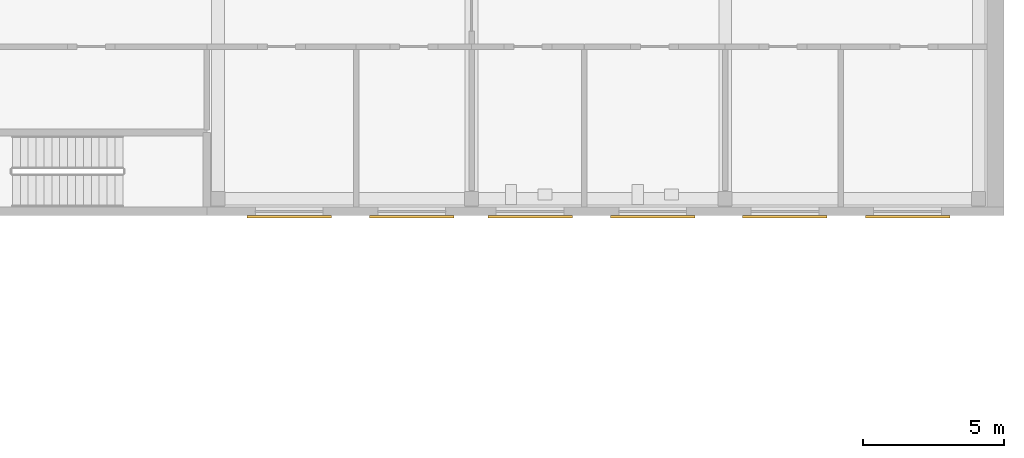
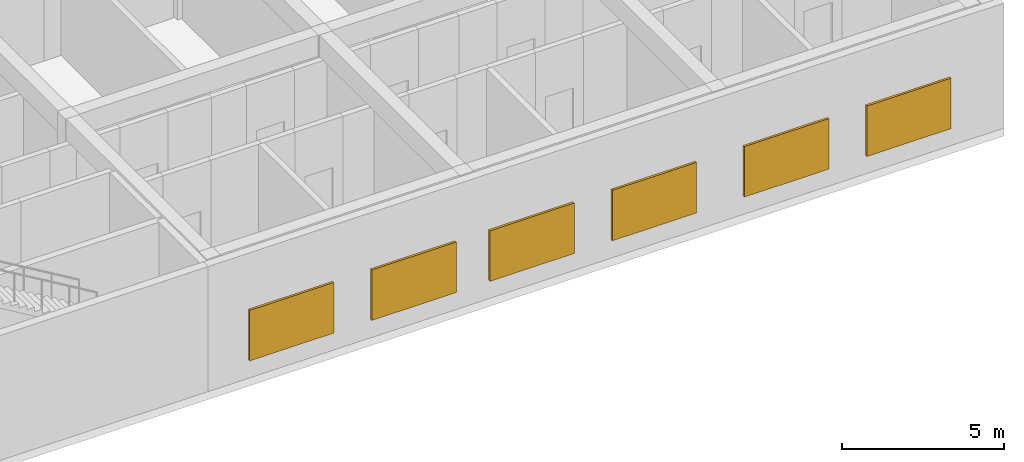
# One storey, part 17 of 19: 6 shading devices.
"""IFC4 building model written with IfcOpenShell, lengths in metres."""

from ifc_helpers import new_model, si_unit, direction, frame, origin, origin_2d, place, context, subcontext, project, spatial, rectangle, extrude, material, layer, layer_set, type_object, element, save


model = new_model("IFC4")

# Units and contexts
model_context = context("Model", 3, precision=1e-05, world=origin(), true_north=direction((0.0, 1.0)))
body_context = subcontext(model_context, "Body", "Model", "MODEL_VIEW")
ifc_project = project(units=[si_unit("LENGTHUNIT", "METRE"), si_unit("AREAUNIT", "SQUARE_METRE"), si_unit("VOLUMEUNIT", "CUBIC_METRE"), si_unit("PLANEANGLEUNIT", "RADIAN"), si_unit("MASSUNIT", "GRAM", prefix="KILO")], contexts=[model_context])

# Site, building, storey
site_placement = place(None, origin())
site = spatial("IfcSite", under=ifc_project, at=site_placement, CompositionType="ELEMENT")
building_placement = place(site_placement, origin())
building = spatial("IfcBuilding", under=site, at=building_placement, Name="Girih Gate Residences", CompositionType="ELEMENT")
storey_placement = place(building_placement, frame((0.0, 0.0, 21.0)))
storey = spatial("IfcBuildingStorey", under=building, at=storey_placement, Name="L04", CompositionType="ELEMENT", Elevation=21.0)

# Shading devices
ifc_material = material(Name="Precast concrete C50/60", Category="concrete")
ifc_layer = layer(ifc_material, 0.080078125)
ifc_layer_set = layer_set([ifc_layer], Name="HC Panjara screen")
shading_device_type = type_object("IfcShadingDeviceType", Name="HC Panjara screen", PredefinedType="USERDEFINED", material=ifc_layer_set)
for number, where, z_axis, x_axis, name in (
    (1, (64.97509765625, 8.9599609375, 0.699951171875), (0.0, 0.0, 1.0), (1.0, 0.0, 0.0), "L04 panjara screen 1"),
    (2, (69.324951171875, 8.9599609375, 0.699951171875), (0.0, 0.0, 1.0), (1.0, 0.0, 0.0), "L04 panjara screen 2"),
    (3, (73.52490234375, 8.9599609375, 0.699951171875), (0.0, 0.0, 1.0), (1.0, 0.0, 0.0), "L04 panjara screen 3"),
    (4, (77.875, 8.9599609375, 0.699951171875), (0.0, 0.0, 1.0), (1.0, 0.0, 0.0), "L04 panjara screen 4"),
    (5, (82.574951171875, 8.9599609375, 0.699951171875), (0.0, 0.0, 1.0), (1.0, 0.0, 0.0), "L04 panjara screen 5"),
    (6, (86.925048828125, 8.9599609375, 0.699951171875), (0.0, 0.0, 1.0), (1.0, 0.0, 0.0), "L04 panjara screen 6"),
):
    element("IfcShadingDevice", number, at=place(storey_placement, frame(where, z_axis=z_axis, x_axis=x_axis)), inside=storey, type_object=shading_device_type, Name=name, ObjectType="SCREEN", PredefinedType="USERDEFINED", context=body_context, shape_type="SweptSolid", body=[
        extrude(rectangle(XDim=3.0, YDim=0.080078125, at=origin_2d()), origin(), (0.0, 0.0, 1.0), 1.89990234375),
    ])

save(model, "model.ifc")
